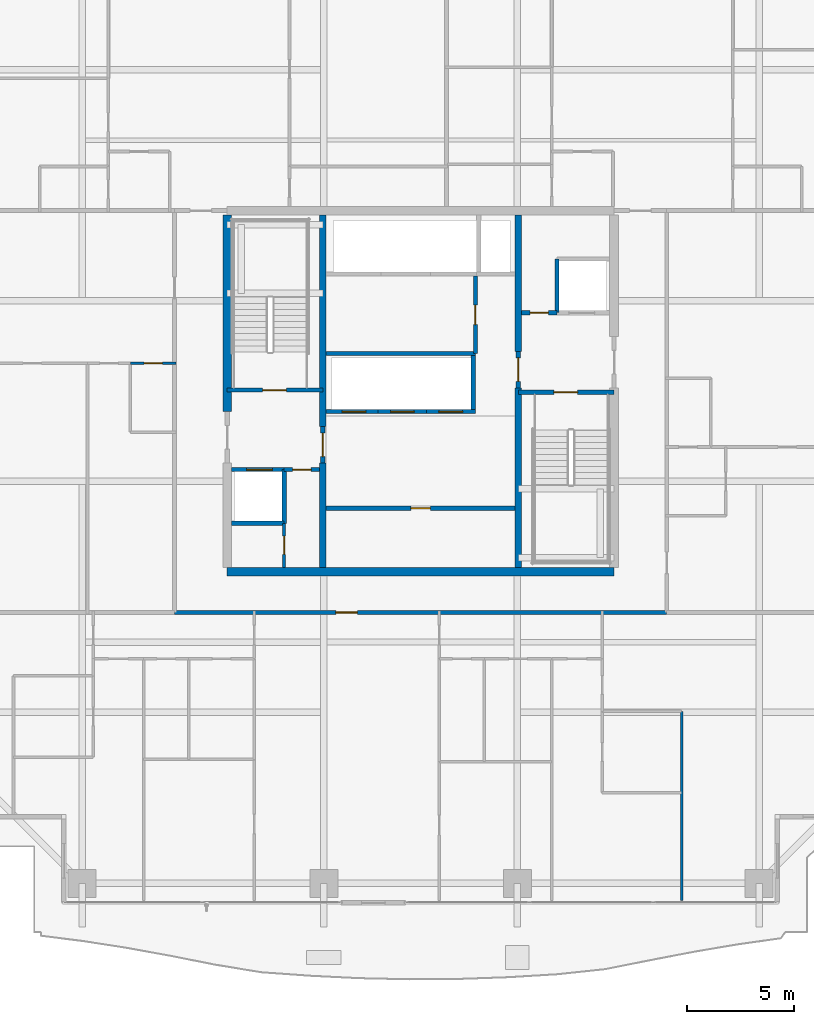
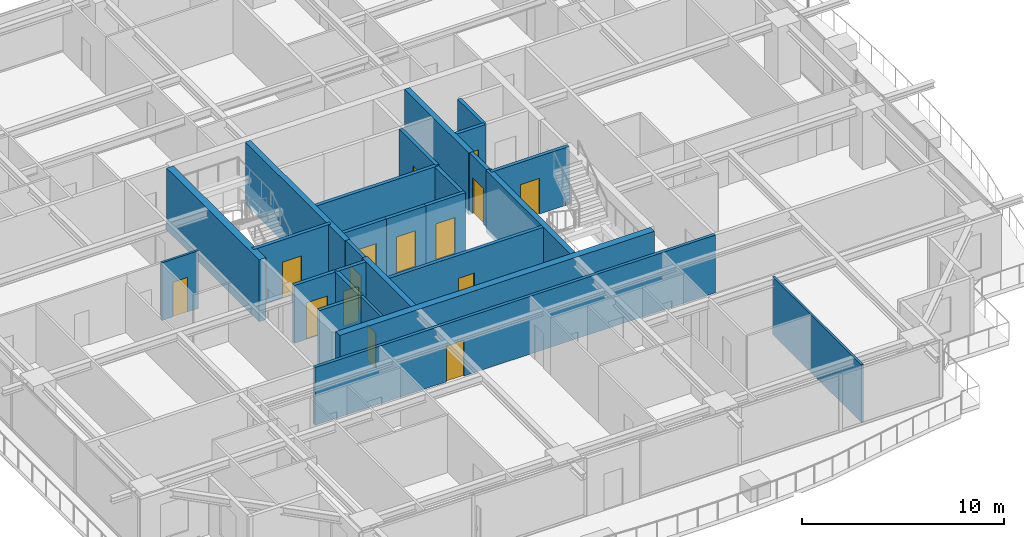
# One storey, part 27 of 36: 27 walls, 15 doors, 15 openings.
"""IFC4 building model written with IfcOpenShell, lengths in metres."""

from ifc_helpers import new_model, si_unit, direction, frame, frame_2d, origin, place, context, subcontext, project, spatial, rectangle, extrude, source, transform, mapped, material, layer, layer_set, type_object, element, fill, save


model = new_model("IFC4")

# Units and contexts
model_context = context("Model", 3, precision=1e-05, world=origin(), true_north=direction((0.0, 1.0)))
body_context = subcontext(model_context, "Body", "Model", "MODEL_VIEW")
ifc_project = project(units=[si_unit("LENGTHUNIT", "METRE"), si_unit("AREAUNIT", "SQUARE_METRE"), si_unit("VOLUMEUNIT", "CUBIC_METRE"), si_unit("PLANEANGLEUNIT", "RADIAN"), si_unit("MASSUNIT", "GRAM", prefix="KILO")], contexts=[model_context])

# Site, building, storey
site_placement = place(None, origin())
site = spatial("IfcSite", under=ifc_project, at=site_placement, CompositionType="ELEMENT")
building_placement = place(site_placement, origin())
building = spatial("IfcBuilding", under=site, at=building_placement, Name="Serunith Strait Residences", CompositionType="ELEMENT")
storey_placement = place(building_placement, frame((0.0, 0.0, 146.39990234375)))
storey = spatial("IfcBuildingStorey", under=building, at=storey_placement, Name="L36", CompositionType="ELEMENT", Elevation=146.39990234375)

# Wall, opening, door
ifc_material_1 = material(Name="Fire-rated masonry service closet wall", Category="masonry")
ifc_layer_1 = layer(ifc_material_1, 0.14990234375, Name="Fire-rated masonry service closet wall")
ifc_layer_set_1 = layer_set([ifc_layer_1], Name="Fire-rated masonry service closet wall")
wall_type_1 = type_object("IfcWallType", Name="IW-BOH-150", PredefinedType="PARTITIONING", material=ifc_layer_set_1)
wall_1_placement = place(storey_placement, frame((26.050048828125, 17.0, 0.0), z_axis=(0.0, 0.0, 1.0), x_axis=(0.0, 1.0, 0.0)))
wall_1 = element("IfcWall", 1, at=wall_1_placement, inside=storey, type_object=wall_type_1, Name="L36 Partition Wall 012", PredefinedType="PARTITIONING", context=body_context, shape_type="SweptSolid", body=[
    extrude(rectangle(XDim=2.048095703125, YDim=0.14990234375, at=frame_2d((1.02392578125, 0.0))), origin(), (0.0, 0.0, 1.0), 3.489990234375),
])
opening_1_placement = place(wall_1_placement, frame((0.59912109375, 0.0, 0.0)))
opening_1 = element("IfcOpeningElement", 2, at=opening_1_placement, cuts=wall_1, Name="Opening FD-850", PredefinedType="OPENING", context=body_context, shape_type="SweptSolid", body=[
    extrude(rectangle(XDim=0.85009765625, YDim=2.10009765625, at=frame_2d((0.425048828125, 1.050048828125))), frame((0.0, 0.0849609375, 0.0), z_axis=(0.0, -1.0, 0.0), x_axis=(1.0, 0.0, 0.0)), (0.0, 0.0, 1.0), 0.169921875),
])
ifc_material_2 = material(Name="Powder-coated steel service closet door", Category="steel")
door_type_1 = type_object("IfcDoorType", Name="FD-BOH-850", OperationType="NOTDEFINED", PredefinedType="DOOR", material=ifc_material_2)
shared_shape_1 = source(origin(), body_context, "Body", "SweptSolid", [
    extrude(rectangle(XDim=0.85009765625, YDim=2.10009765625, at=frame_2d((0.425048828125, 1.050048828125))), frame((0.0, 0.02490234375, 0.0), z_axis=(0.0, -1.0, 0.0), x_axis=(1.0, 0.0, 0.0)), (0.0, 0.0, 1.0), 0.050048828125),
])
door_1_placement = place(opening_1_placement, origin())
door_1 = element("IfcDoor", 3, at=door_1_placement, inside=storey, type_object=door_type_1, Name="L36 Cleaner Store Door", OperationType="SINGLE_SWING_RIGHT", OverallHeight=2.10009765625, OverallWidth=0.85009765625, PredefinedType="DOOR", context=body_context, shape_type="MappedRepresentation", body=[
    mapped(shared_shape_1, transform((0.0, 0.0, 0.0), scale=1.0)),
])
fill(opening_1, door_1)

ifc_material_3 = material(Name="Fire-rated acoustic gypsum partition")
ifc_layer_2 = layer(ifc_material_3, 0.179931640625, Name="Fire-rated acoustic gypsum partition")
ifc_layer_set_2 = layer_set([ifc_layer_2], Name="Fire-rated acoustic gypsum partition")
wall_type_2 = type_object("IfcWallType", Name="IW-CORR-180", PredefinedType="PARTITIONING", material=ifc_layer_set_2)
wall_2_placement = place(storey_placement, frame((20.951904296875, 14.89990234375, 0.0), z_axis=(0.0, 0.0, 1.0), x_axis=(1.0, 0.0, 0.0)))
wall_2 = element("IfcWall", 4, at=wall_2_placement, inside=storey, type_object=wall_type_2, Name="L36 Partition Wall 020", PredefinedType="PARTITIONING", context=body_context, shape_type="SweptSolid", body=[
    extrude(rectangle(XDim=22.89599609375, YDim=0.179931640625, at=frame_2d((11.447998046875, 0.0))), origin(), (0.0, 0.0, 1.0), 3.489990234375),
])
opening_2_placement = place(wall_2_placement, frame((7.510009765625, 0.0, 0.0)))
opening_2 = element("IfcOpeningElement", 5, at=opening_2_placement, cuts=wall_2, Name="Opening D-APT1000", PredefinedType="OPENING", context=body_context, shape_type="SweptSolid", body=[
    extrude(rectangle(XDim=1.0, YDim=2.14990234375, at=frame_2d((0.5, 1.074951171875))), frame((0.0, 0.10009765625, 0.0), z_axis=(0.0, -1.0, 0.0), x_axis=(1.0, 0.0, 0.0)), (0.0, 0.0, 1.0), 0.199951171875),
])
ifc_material_4 = material(Name="Solid timber engineered fire door", Category="wood")
door_type_2 = type_object("IfcDoorType", Name="ID-APT-1000", OperationType="NOTDEFINED", PredefinedType="DOOR", material=ifc_material_4)
shared_shape_2 = source(origin(), body_context, "Body", "SweptSolid", [
    extrude(rectangle(XDim=1.0, YDim=2.14990234375, at=frame_2d((0.5, 1.074951171875))), frame((0.0, 0.02490234375, 0.0), z_axis=(0.0, -1.0, 0.0), x_axis=(1.0, 0.0, 0.0)), (0.0, 0.0, 1.0), 0.050048828125),
])
door_2_placement = place(opening_2_placement, origin())
door_2 = element("IfcDoor", 6, at=door_2_placement, inside=storey, type_object=door_type_2, Name="L36 Unit 01 Entrance Door", OperationType="SINGLE_SWING_LEFT", OverallHeight=2.14990234375, OverallWidth=1.0, PredefinedType="DOOR", context=body_context, shape_type="MappedRepresentation", body=[
    mapped(shared_shape_2, transform((0.0, 0.0, 0.0), scale=1.0)),
])
fill(opening_2, door_2)

# Wall
ifc_material_5 = material(Name="Lightweight steel-stud gypsum partition", Category="steel")
ifc_layer_3 = layer(ifc_material_5, 0.1201171875, Name="Lightweight steel-stud gypsum partition")
ifc_layer_set_3 = layer_set([ifc_layer_3], Name="Lightweight steel-stud gypsum partition")
wall_type_3 = type_object("IfcWallType", Name="IW-PART-120", PredefinedType="PARTITIONING", material=ifc_layer_set_3)
wall_3_placement = place(storey_placement, frame((44.550048828125, 1.4951171875, 0.0), z_axis=(0.0, 0.0, 1.0), x_axis=(0.0, 1.0, 0.0)))
element("IfcWall", 7, at=wall_3_placement, inside=storey, type_object=wall_type_3, Name="L36 Partition Wall 050", PredefinedType="PARTITIONING", context=body_context, shape_type="SweptSolid", body=[
    extrude(rectangle(XDim=8.807861328125, YDim=0.1201171875, at=frame_2d((4.40380859375, 0.0))), origin(), (0.0, 0.0, 1.0), 3.489990234375),
])

# Wall, opening, door
wall_4_placement = place(storey_placement, frame((18.902099609375, 26.489990234375, 0.0), z_axis=(0.0, 0.0, 1.0), x_axis=(1.0, 0.0, 0.0)))
wall_4 = element("IfcWall", 8, at=wall_4_placement, inside=storey, type_object=wall_type_3, Name="L36 Partition Wall 088", PredefinedType="PARTITIONING", context=body_context, shape_type="SweptSolid", body=[
    extrude(rectangle(XDim=2.10791015625, YDim=0.1201171875, at=frame_2d((1.053955078125, 0.0))), origin(), (0.0, 0.0, 1.0), 3.489990234375),
])
opening_3_placement = place(wall_4_placement, frame((0.62890625, 0.0, 0.0)))
opening_3 = element("IfcOpeningElement", 9, at=opening_3_placement, cuts=wall_4, Name="Opening D-BTH850", PredefinedType="OPENING", context=body_context, shape_type="SweptSolid", body=[
    extrude(rectangle(XDim=0.85009765625, YDim=2.10009765625, at=frame_2d((0.425048828125, 1.050048828125))), frame((0.0, 0.070068359375, 0.0), z_axis=(0.0, -1.0, 0.0), x_axis=(1.0, 0.0, 0.0)), (0.0, 0.0, 1.0), 0.14013671875),
])
ifc_material_6 = material(Name="Moisture-resistant timber bathroom door", Category="wood")
door_type_3 = type_object("IfcDoorType", Name="ID-BATH-850", OperationType="NOTDEFINED", PredefinedType="DOOR", material=ifc_material_6)
door_3_placement = place(opening_3_placement, origin())
door_3 = element("IfcDoor", 10, at=door_3_placement, inside=storey, type_object=door_type_3, Name="L36 Bathroom 3604 Door", OperationType="SINGLE_SWING_LEFT", OverallHeight=2.10009765625, OverallWidth=0.85009765625, PredefinedType="DOOR", context=body_context, shape_type="MappedRepresentation", body=[
    mapped(shared_shape_1, transform((0.0, 0.0, 0.0), scale=1.0)),
])
fill(opening_3, door_3)

ifc_material_7 = material(Name="Autoclaved aerated concrete blockwork", Category="masonry")
ifc_layer_4 = layer(ifc_material_7, 0.199951171875, Name="Autoclaved aerated concrete blockwork")
ifc_layer_set_4 = layer_set([ifc_layer_4], Name="Autoclaved aerated concrete blockwork")
wall_type_4 = type_object("IfcWallType", Name="IW-SHAFT-200", PredefinedType="STANDARD", material=ifc_layer_set_4)
wall_5_placement = place(storey_placement, frame((23.39990234375, 25.25, 0.0), z_axis=(0.0, 0.0, 1.0), x_axis=(1.0, 0.0, 0.0)))
wall_5 = element("IfcWall", 11, at=wall_5_placement, inside=storey, type_object=wall_type_4, Name="L36 ST-1 South Shaft Wall", PredefinedType="STANDARD", context=body_context, shape_type="SweptSolid", body=[
    extrude(rectangle(XDim=4.4501953125, YDim=0.199951171875, at=frame_2d((2.22509765625, 0.0))), origin(), (0.0, 0.0, 1.0), 3.489990234375),
])
opening_4_placement = place(wall_5_placement, frame((1.64990234375, 0.0, 0.0)))
opening_4 = element("IfcOpeningElement", 12, at=opening_4_placement, cuts=wall_5, Name="Opening FD-1100", PredefinedType="OPENING", context=body_context, shape_type="SweptSolid", body=[
    extrude(rectangle(XDim=1.10009765625, YDim=2.14990234375, at=frame_2d((0.550048828125, 1.074951171875))), frame((0.0, 0.10986328125, 0.0), z_axis=(0.0, -1.0, 0.0), x_axis=(1.0, 0.0, 0.0)), (0.0, 0.0, 1.0), 0.219970703125),
])
ifc_material_8 = material(Name="Galvanised steel fire door leaf", Category="steel")
door_type_4 = type_object("IfcDoorType", Name="FD-STAIR-1100", OperationType="NOTDEFINED", PredefinedType="DOOR", material=ifc_material_8)
shared_shape_3 = source(origin(), body_context, "Body", "SweptSolid", [
    extrude(rectangle(XDim=1.10009765625, YDim=2.14990234375, at=frame_2d((0.550048828125, 1.074951171875))), frame((0.0, 0.02490234375, 0.0), z_axis=(0.0, -1.0, 0.0), x_axis=(1.0, 0.0, 0.0)), (0.0, 0.0, 1.0), 0.050048828125),
])
door_4_placement = place(opening_4_placement, origin())
door_4 = element("IfcDoor", 13, at=door_4_placement, inside=storey, type_object=door_type_4, Name="L36 ST-1 Escape Stair Door", OperationType="SINGLE_SWING_RIGHT", OverallHeight=2.14990234375, OverallWidth=1.10009765625, PredefinedType="DOOR", context=body_context, shape_type="MappedRepresentation", body=[
    mapped(shared_shape_3, transform((0.0, 0.0, 0.0), scale=1.0)),
])
fill(opening_4, door_4)

wall_6_placement = place(storey_placement, frame((36.949951171875, 25.14990234375, 0.0), z_axis=(0.0, 0.0, 1.0), x_axis=(1.0, 0.0, 0.0)))
wall_6 = element("IfcWall", 14, at=wall_6_placement, inside=storey, type_object=wall_type_4, Name="L36 ST-2 North Shaft Wall", PredefinedType="STANDARD", context=body_context, shape_type="SweptSolid", body=[
    extrude(rectangle(XDim=4.449951171875, YDim=0.199951171875, at=frame_2d((2.22509765625, 0.0))), origin(), (0.0, 0.0, 1.0), 3.489990234375),
])
opening_5_placement = place(wall_6_placement, frame((1.64990234375, 0.0, 0.0)))
opening_5 = element("IfcOpeningElement", 15, at=opening_5_placement, cuts=wall_6, Name="Opening FD-1100", PredefinedType="OPENING", context=body_context, shape_type="SweptSolid", body=[
    extrude(rectangle(XDim=1.10009765625, YDim=2.14990234375, at=frame_2d((0.550048828125, 1.074951171875))), frame((0.0, 0.10986328125, 0.0), z_axis=(0.0, -1.0, 0.0), x_axis=(1.0, 0.0, 0.0)), (0.0, 0.0, 1.0), 0.219970703125),
])
door_5_placement = place(opening_5_placement, origin())
door_5 = element("IfcDoor", 16, at=door_5_placement, inside=storey, type_object=door_type_4, Name="L36 ST-2 Escape Stair Door", OperationType="SINGLE_SWING_LEFT", OverallHeight=2.14990234375, OverallWidth=1.10009765625, PredefinedType="DOOR", context=body_context, shape_type="MappedRepresentation", body=[
    mapped(shared_shape_3, transform((0.0, 0.0, 0.0), scale=1.0)),
])
fill(opening_5, door_5)

wall_7_placement = place(storey_placement, frame((23.60009765625, 21.550048828125, 0.0), z_axis=(0.0, 0.0, 1.0), x_axis=(1.0, 0.0, 0.0)))
wall_7 = element("IfcWall", 17, at=wall_7_placement, inside=storey, type_object=wall_type_4, Name="L36 FL-1 North Shaft Wall", PredefinedType="STANDARD", context=body_context, shape_type="SweptSolid", body=[
    extrude(rectangle(XDim=2.449951171875, YDim=0.199951171875, at=frame_2d((1.22509765625, 0.0))), origin(), (0.0, 0.0, 1.0), 3.489990234375),
])
opening_6_placement = place(wall_7_placement, frame((0.699951171875, 0.0, 0.0)))
opening_6 = element("IfcOpeningElement", 18, at=opening_6_placement, cuts=wall_7, Name="Opening LD-FF1200", PredefinedType="OPENING", context=body_context, shape_type="SweptSolid", body=[
    extrude(rectangle(XDim=1.199951171875, YDim=2.199951171875, at=frame_2d((0.60009765625, 1.10009765625))), frame((0.0, 0.10986328125, 0.0), z_axis=(0.0, -1.0, 0.0), x_axis=(1.0, 0.0, 0.0)), (0.0, 0.0, 1.0), 0.219970703125),
])
ifc_material_9 = material(Name="Brushed stainless steel landing door", Category="steel")
door_type_5 = type_object("IfcDoorType", Name="LD-FF-1200", OperationType="DOUBLE_DOOR_SLIDING", PredefinedType="DOOR", material=ifc_material_9)
shared_shape_4 = source(origin(), body_context, "Body", "SweptSolid", [
    extrude(rectangle(XDim=1.199951171875, YDim=2.199951171875, at=frame_2d((0.60009765625, 1.10009765625))), frame((0.0, 0.02490234375, 0.0), z_axis=(0.0, -1.0, 0.0), x_axis=(1.0, 0.0, 0.0)), (0.0, 0.0, 1.0), 0.050048828125),
])
door_6_placement = place(opening_6_placement, origin())
door_6 = element("IfcDoor", 19, at=door_6_placement, inside=storey, type_object=door_type_5, Name="L36 FL-1 Landing Door", OperationType="DOUBLE_DOOR_SLIDING", OverallHeight=2.199951171875, OverallWidth=1.199951171875, PredefinedType="DOOR", context=body_context, shape_type="MappedRepresentation", body=[
    mapped(shared_shape_4, transform((0.0, 0.0, 0.0), scale=1.0)),
])
fill(opening_6, door_6)

wall_8_placement = place(storey_placement, frame((28.0, 24.25, 0.0), z_axis=(0.0, 0.0, 1.0), x_axis=(1.0, 0.0, 0.0)))
wall_8 = element("IfcWall", 20, at=wall_8_placement, inside=storey, type_object=wall_type_4, Name="L36 PL-4 South Shaft Wall", PredefinedType="STANDARD", context=body_context, shape_type="SweptSolid", body=[
    extrude(rectangle(XDim=2.425048828125, YDim=0.199951171875, at=frame_2d((1.21240234375, 0.0))), origin(), (0.0, 0.0, 1.0), 3.489990234375),
])
opening_7_placement = place(wall_8_placement, frame((0.75, 0.0, 0.0)))
opening_7 = element("IfcOpeningElement", 21, at=opening_7_placement, cuts=wall_8, Name="Opening LD-1100", PredefinedType="OPENING", context=body_context, shape_type="SweptSolid", body=[
    extrude(rectangle(XDim=1.10009765625, YDim=2.199951171875, at=frame_2d((0.550048828125, 1.10009765625))), frame((0.0, 0.10986328125, 0.0), z_axis=(0.0, -1.0, 0.0), x_axis=(1.0, 0.0, 0.0)), (0.0, 0.0, 1.0), 0.219970703125),
])
ifc_material_10 = material(Name="Pale-champagne stainless landing door")
door_type_6 = type_object("IfcDoorType", Name="LD-LIFT-1100", OperationType="DOUBLE_DOOR_SLIDING", PredefinedType="DOOR", material=ifc_material_10)
shared_shape_5 = source(origin(), body_context, "Body", "SweptSolid", [
    extrude(rectangle(XDim=1.10009765625, YDim=2.199951171875, at=frame_2d((0.550048828125, 1.10009765625))), frame((0.0, 0.02490234375, 0.0), z_axis=(0.0, -1.0, 0.0), x_axis=(1.0, 0.0, 0.0)), (0.0, 0.0, 1.0), 0.050048828125),
])
door_7_placement = place(opening_7_placement, origin())
door_7 = element("IfcDoor", 22, at=door_7_placement, inside=storey, type_object=door_type_6, Name="L36 PL-4 Landing Door", OperationType="DOUBLE_DOOR_SLIDING", OverallHeight=2.199951171875, OverallWidth=1.10009765625, PredefinedType="DOOR", context=body_context, shape_type="MappedRepresentation", body=[
    mapped(shared_shape_5, transform((0.0, 0.0, 0.0), scale=1.0)),
])
fill(opening_7, door_7)

wall_9_placement = place(storey_placement, frame((30.425048828125, 24.25, 0.0), z_axis=(0.0, 0.0, 1.0), x_axis=(1.0, 0.0, 0.0)))
wall_9 = element("IfcWall", 23, at=wall_9_placement, inside=storey, type_object=wall_type_4, Name="L36 PL-5 South Shaft Wall", PredefinedType="STANDARD", context=body_context, shape_type="SweptSolid", body=[
    extrude(rectangle(XDim=2.25, YDim=0.199951171875, at=frame_2d((1.125, 0.0))), origin(), (0.0, 0.0, 1.0), 3.489990234375),
])
opening_8_placement = place(wall_9_placement, frame((0.574951171875, 0.0, 0.0)))
opening_8 = element("IfcOpeningElement", 24, at=opening_8_placement, cuts=wall_9, Name="Opening LD-1100", PredefinedType="OPENING", context=body_context, shape_type="SweptSolid", body=[
    extrude(rectangle(XDim=1.10009765625, YDim=2.199951171875, at=frame_2d((0.550048828125, 1.10009765625))), frame((0.0, 0.10986328125, 0.0), z_axis=(0.0, -1.0, 0.0), x_axis=(1.0, 0.0, 0.0)), (0.0, 0.0, 1.0), 0.219970703125),
])
door_8_placement = place(opening_8_placement, origin())
door_8 = element("IfcDoor", 25, at=door_8_placement, inside=storey, type_object=door_type_6, Name="L36 PL-5 Landing Door", OperationType="DOUBLE_DOOR_SLIDING", OverallHeight=2.199951171875, OverallWidth=1.10009765625, PredefinedType="DOOR", context=body_context, shape_type="MappedRepresentation", body=[
    mapped(shared_shape_5, transform((0.0, 0.0, 0.0), scale=1.0)),
])
fill(opening_8, door_8)

wall_10_placement = place(storey_placement, frame((32.675048828125, 24.25, 0.0), z_axis=(0.0, 0.0, 1.0), x_axis=(1.0, 0.0, 0.0)))
wall_10 = element("IfcWall", 26, at=wall_10_placement, inside=storey, type_object=wall_type_4, Name="L36 PL-6 South Shaft Wall", PredefinedType="STANDARD", context=body_context, shape_type="SweptSolid", body=[
    extrude(rectangle(XDim=2.27490234375, YDim=0.199951171875, at=frame_2d((1.137451171875, 0.0))), origin(), (0.0, 0.0, 1.0), 3.489990234375),
])
opening_9_placement = place(wall_10_placement, frame((0.574951171875, 0.0, 0.0)))
opening_9 = element("IfcOpeningElement", 27, at=opening_9_placement, cuts=wall_10, Name="Opening LD-1100", PredefinedType="OPENING", context=body_context, shape_type="SweptSolid", body=[
    extrude(rectangle(XDim=1.10009765625, YDim=2.199951171875, at=frame_2d((0.550048828125, 1.10009765625))), frame((0.0, 0.10986328125, 0.0), z_axis=(0.0, -1.0, 0.0), x_axis=(1.0, 0.0, 0.0)), (0.0, 0.0, 1.0), 0.219970703125),
])
door_9_placement = place(opening_9_placement, origin())
door_9 = element("IfcDoor", 28, at=door_9_placement, inside=storey, type_object=door_type_6, Name="L36 PL-6 Landing Door", OperationType="DOUBLE_DOOR_SLIDING", OverallHeight=2.199951171875, OverallWidth=1.10009765625, PredefinedType="DOOR", context=body_context, shape_type="MappedRepresentation", body=[
    mapped(shared_shape_5, transform((0.0, 0.0, 0.0), scale=1.0)),
])
fill(opening_9, door_9)

# Walls
for number, where, z_axis, x_axis, name in (
    (29, (34.85009765625, 24.35009765625, 0.0), (0.0, 0.0, 1.0), (0.0, 1.0, 0.0), "L36 PL-6 East Shaft Wall"),
    (30, (26.050048828125, 19.050048828125, 0.0), (0.0, 0.0, 1.0), (0.0, 1.0, 0.0), "L36 Partition Wall 001"),
):
    element("IfcWall", number, at=place(storey_placement, frame(where, z_axis=z_axis, x_axis=x_axis)), inside=storey, type_object=wall_type_4, Name=name, PredefinedType="STANDARD", context=body_context, shape_type="SweptSolid", body=[
        extrude(rectangle(XDim=2.5, YDim=0.199951171875, at=frame_2d((1.25, 0.0))), origin(), (0.0, 0.0, 1.0), 3.489990234375),
    ])
wall_11_placement = place(storey_placement, frame((23.60009765625, 19.050048828125, 0.0), z_axis=(0.0, 0.0, 1.0), x_axis=(1.0, 0.0, 0.0)))
element("IfcWall", 31, at=wall_11_placement, inside=storey, type_object=wall_type_4, Name="L36 Partition Wall 002", PredefinedType="STANDARD", context=body_context, shape_type="SweptSolid", body=[
    extrude(rectangle(XDim=2.449951171875, YDim=0.199951171875, at=frame_2d((1.22509765625, 0.0))), origin(), (0.0, 0.0, 1.0), 3.489990234375),
])

# Wall, opening, door
wall_12_placement = place(storey_placement, frame((26.052001953125, 21.550048828125, 0.0), z_axis=(0.0, 0.0, 1.0), x_axis=(1.0, 0.0, 0.0)))
wall_12 = element("IfcWall", 32, at=wall_12_placement, inside=storey, type_object=wall_type_4, Name="L36 Partition Wall 003", PredefinedType="STANDARD", context=body_context, shape_type="SweptSolid", body=[
    extrude(rectangle(XDim=1.64794921875, YDim=0.199951171875, at=frame_2d((0.823974609375, 0.0))), origin(), (0.0, 0.0, 1.0), 3.489990234375),
])
opening_10_placement = place(wall_12_placement, frame((0.39892578125, 0.0, 0.0)))
opening_10 = element("IfcOpeningElement", 33, at=opening_10_placement, cuts=wall_12, Name="Opening FD-850", PredefinedType="OPENING", context=body_context, shape_type="SweptSolid", body=[
    extrude(rectangle(XDim=0.85009765625, YDim=2.10009765625, at=frame_2d((0.425048828125, 1.050048828125))), frame((0.0, 0.10986328125, 0.0), z_axis=(0.0, -1.0, 0.0), x_axis=(1.0, 0.0, 0.0)), (0.0, 0.0, 1.0), 0.219970703125),
])
door_10_placement = place(opening_10_placement, origin())
door_10 = element("IfcDoor", 34, at=door_10_placement, inside=storey, type_object=door_type_1, Name="L36 South-West Core Service Door", OperationType="SINGLE_SWING_RIGHT", OverallHeight=2.10009765625, OverallWidth=0.85009765625, PredefinedType="DOOR", context=body_context, shape_type="MappedRepresentation", body=[
    mapped(shared_shape_1, transform((0.0, 0.0, 0.0), scale=1.0)),
])
fill(opening_10, door_10)

# Wall
wall_13_placement = place(storey_placement, frame((38.75, 28.85009765625, 0.0), z_axis=(0.0, 0.0, 1.0), x_axis=(0.0, 1.0, 0.0)))
element("IfcWall", 35, at=wall_13_placement, inside=storey, type_object=wall_type_4, Name="L36 Partition Wall 004", PredefinedType="STANDARD", context=body_context, shape_type="SweptSolid", body=[
    extrude(rectangle(XDim=2.5, YDim=0.199951171875, at=frame_2d((1.25, 0.0))), origin(), (0.0, 0.0, 1.0), 3.489990234375),
])

# Wall, opening, door
wall_14_placement = place(storey_placement, frame((37.10009765625, 28.85009765625, 0.0), z_axis=(0.0, 0.0, 1.0), x_axis=(1.0, 0.0, 0.0)))
wall_14 = element("IfcWall", 36, at=wall_14_placement, inside=storey, type_object=wall_type_4, Name="L36 Partition Wall 006", PredefinedType="STANDARD", context=body_context, shape_type="SweptSolid", body=[
    extrude(rectangle(XDim=1.64794921875, YDim=0.199951171875, at=frame_2d((0.823974609375, 0.0))), origin(), (0.0, 0.0, 1.0), 3.489990234375),
])
opening_11_placement = place(wall_14_placement, frame((0.39892578125, 0.0, 0.0)))
opening_11 = element("IfcOpeningElement", 37, at=opening_11_placement, cuts=wall_14, Name="Opening FD-850", PredefinedType="OPENING", context=body_context, shape_type="SweptSolid", body=[
    extrude(rectangle(XDim=0.85009765625, YDim=2.10009765625, at=frame_2d((0.425048828125, 1.050048828125))), frame((0.0, 0.10986328125, 0.0), z_axis=(0.0, -1.0, 0.0), x_axis=(1.0, 0.0, 0.0)), (0.0, 0.0, 1.0), 0.219970703125),
])
door_11_placement = place(opening_11_placement, origin())
door_11 = element("IfcDoor", 38, at=door_11_placement, inside=storey, type_object=door_type_1, Name="L36 North-East Core Service Door", OperationType="SINGLE_SWING_LEFT", OverallHeight=2.10009765625, OverallWidth=0.85009765625, PredefinedType="DOOR", context=body_context, shape_type="MappedRepresentation", body=[
    mapped(shared_shape_1, transform((0.0, 0.0, 0.0), scale=1.0)),
])
fill(opening_11, door_11)

wall_15_placement = place(storey_placement, frame((27.85009765625, 21.85205078125, 0.0), z_axis=(0.0, 0.0, 1.0), x_axis=(0.0, 1.0, 0.0)))
wall_15 = element("IfcWall", 39, at=wall_15_placement, inside=storey, type_object=wall_type_4, Name="L36 Partition Wall 009", PredefinedType="STANDARD", context=body_context, shape_type="SweptSolid", body=[
    extrude(rectangle(XDim=1.696044921875, YDim=0.199951171875, at=frame_2d((0.84814453125, 0.0))), origin(), (0.0, 0.0, 1.0), 3.489990234375),
])
opening_12_placement = place(wall_15_placement, frame((0.298095703125, 0.0, 0.0)))
opening_12 = element("IfcOpeningElement", 40, at=opening_12_placement, cuts=wall_15, Name="Opening FD-FFL", PredefinedType="OPENING", context=body_context, shape_type="SweptSolid", body=[
    extrude(rectangle(XDim=1.10009765625, YDim=2.14990234375, at=frame_2d((0.550048828125, 1.074951171875))), frame((0.0, 0.10986328125, 0.0), z_axis=(0.0, -1.0, 0.0), x_axis=(1.0, 0.0, 0.0)), (0.0, 0.0, 1.0), 0.219970703125),
])
ifc_material_11 = material(Name="Glazed steel smoke-lobby fire door", Category="steel")
door_type_7 = type_object("IfcDoorType", Name="FD-FFL-1100", OperationType="NOTDEFINED", PredefinedType="DOOR", material=ifc_material_11)
door_12_placement = place(opening_12_placement, origin())
door_12 = element("IfcDoor", 41, at=door_12_placement, inside=storey, type_object=door_type_7, Name="L36 FFL-1 Lift Lobby Door", OperationType="SINGLE_SWING_RIGHT", OverallHeight=2.14990234375, OverallWidth=1.10009765625, PredefinedType="DOOR", context=body_context, shape_type="MappedRepresentation", body=[
    mapped(shared_shape_3, transform((0.0, 0.0, 0.0), scale=1.0)),
])
fill(opening_12, door_12)

wall_16_placement = place(storey_placement, frame((36.949951171875, 25.35205078125, 0.0), z_axis=(0.0, 0.0, 1.0), x_axis=(0.0, 1.0, 0.0)))
wall_16 = element("IfcWall", 42, at=wall_16_placement, inside=storey, type_object=wall_type_4, Name="L36 Partition Wall 010", PredefinedType="STANDARD", context=body_context, shape_type="SweptSolid", body=[
    extrude(rectangle(XDim=1.696044921875, YDim=0.199951171875, at=frame_2d((0.84814453125, 0.0))), origin(), (0.0, 0.0, 1.0), 3.489990234375),
])
opening_13_placement = place(wall_16_placement, frame((0.298095703125, 0.0, 0.0)))
opening_13 = element("IfcOpeningElement", 43, at=opening_13_placement, cuts=wall_16, Name="Opening FD-FFL", PredefinedType="OPENING", context=body_context, shape_type="SweptSolid", body=[
    extrude(rectangle(XDim=1.10009765625, YDim=2.14990234375, at=frame_2d((0.550048828125, 1.074951171875))), frame((0.0, 0.10986328125, 0.0), z_axis=(0.0, -1.0, 0.0), x_axis=(1.0, 0.0, 0.0)), (0.0, 0.0, 1.0), 0.219970703125),
])
door_13_placement = place(opening_13_placement, origin())
door_13 = element("IfcDoor", 44, at=door_13_placement, inside=storey, type_object=door_type_7, Name="L36 FFL-2 Lift Lobby Door", OperationType="SINGLE_SWING_LEFT", OverallHeight=2.14990234375, OverallWidth=1.10009765625, PredefinedType="DOOR", context=body_context, shape_type="MappedRepresentation", body=[
    mapped(shared_shape_3, transform((0.0, 0.0, 0.0), scale=1.0)),
])
fill(opening_13, door_13)

# Wall
wall_17_placement = place(storey_placement, frame((28.0, 26.949951171875, 0.0), z_axis=(0.0, 0.0, 1.0), x_axis=(1.0, 0.0, 0.0)))
element("IfcWall", 45, at=wall_17_placement, inside=storey, type_object=wall_type_4, Name="L36 Partition Wall 011", PredefinedType="STANDARD", context=body_context, shape_type="SweptSolid", body=[
    extrude(rectangle(XDim=6.949951171875, YDim=0.199951171875, at=frame_2d((3.47509765625, 0.0))), origin(), (0.0, 0.0, 1.0), 3.489990234375),
])

# Wall, opening, door
wall_18_placement = place(storey_placement, frame((34.949951171875, 26.949951171875, 0.0), z_axis=(0.0, 0.0, 1.0), x_axis=(0.0, 1.0, 0.0)))
wall_18 = element("IfcWall", 46, at=wall_18_placement, inside=storey, type_object=wall_type_4, Name="L36 Partition Wall 013", PredefinedType="STANDARD", context=body_context, shape_type="SweptSolid", body=[
    extrude(rectangle(XDim=3.60009765625, YDim=0.199951171875, at=frame_2d((1.800048828125, 0.0))), origin(), (0.0, 0.0, 1.0), 3.489990234375),
])
opening_14_placement = place(wall_18_placement, frame((1.35009765625, 0.0, 0.0)))
opening_14 = element("IfcOpeningElement", 47, at=opening_14_placement, cuts=wall_18, Name="Opening FD-900", PredefinedType="OPENING", context=body_context, shape_type="SweptSolid", body=[
    extrude(rectangle(XDim=0.89990234375, YDim=2.10009765625, at=frame_2d((0.449951171875, 1.050048828125))), frame((0.0, 0.10986328125, 0.0), z_axis=(0.0, -1.0, 0.0), x_axis=(1.0, 0.0, 0.0)), (0.0, 0.0, 1.0), 0.219970703125),
])
ifc_material_12 = material(Name="Powder-coated steel riser door", Category="steel")
door_type_8 = type_object("IfcDoorType", Name="FD-BOH-900", OperationType="NOTDEFINED", PredefinedType="DOOR", material=ifc_material_12)
shared_shape_6 = source(origin(), body_context, "Body", "SweptSolid", [
    extrude(rectangle(XDim=0.89990234375, YDim=2.10009765625, at=frame_2d((0.449951171875, 1.050048828125))), frame((0.0, 0.02490234375, 0.0), z_axis=(0.0, -1.0, 0.0), x_axis=(1.0, 0.0, 0.0)), (0.0, 0.0, 1.0), 0.050048828125),
])
door_14_placement = place(opening_14_placement, origin())
door_14 = element("IfcDoor", 48, at=door_14_placement, inside=storey, type_object=door_type_8, Name="L36 Core Switchroom Door", OperationType="SINGLE_SWING_LEFT", OverallHeight=2.10009765625, OverallWidth=0.89990234375, PredefinedType="DOOR", context=body_context, shape_type="MappedRepresentation", body=[
    mapped(shared_shape_6, transform((0.0, 0.0, 0.0), scale=1.0)),
])
fill(opening_14, door_14)

wall_19_placement = place(storey_placement, frame((28.0, 19.75, 0.0), z_axis=(0.0, 0.0, 1.0), x_axis=(1.0, 0.0, 0.0)))
wall_19 = element("IfcWall", 49, at=wall_19_placement, inside=storey, type_object=wall_type_4, Name="L36 Partition Wall 014", PredefinedType="STANDARD", context=body_context, shape_type="SweptSolid", body=[
    extrude(rectangle(XDim=8.800048828125, YDim=0.199951171875, at=frame_2d((4.39990234375, 0.0))), origin(), (0.0, 0.0, 1.0), 3.489990234375),
])
opening_15_placement = place(wall_19_placement, frame((3.949951171875, 0.0, 0.0)))
opening_15 = element("IfcOpeningElement", 50, at=opening_15_placement, cuts=wall_19, Name="Opening FD-900", PredefinedType="OPENING", context=body_context, shape_type="SweptSolid", body=[
    extrude(rectangle(XDim=0.89990234375, YDim=2.10009765625, at=frame_2d((0.449951171875, 1.050048828125))), frame((0.0, 0.10986328125, 0.0), z_axis=(0.0, -1.0, 0.0), x_axis=(1.0, 0.0, 0.0)), (0.0, 0.0, 1.0), 0.219970703125),
])
door_15_placement = place(opening_15_placement, origin())
door_15 = element("IfcDoor", 51, at=door_15_placement, inside=storey, type_object=door_type_8, Name="L36 Reclaimed BMS Plant Door", OperationType="SINGLE_SWING_RIGHT", OverallHeight=2.10009765625, OverallWidth=0.89990234375, PredefinedType="DOOR", context=body_context, shape_type="MappedRepresentation", body=[
    mapped(shared_shape_6, transform((0.0, 0.0, 0.0), scale=1.0)),
])
fill(opening_15, door_15)

# Walls
ifc_material_13 = material(Name="Concrete C70/85", Category="concrete")
ifc_layer_5 = layer(ifc_material_13, 0.300048828125, Name="Concrete C70/85")
ifc_layer_set_5 = layer_set([ifc_layer_5], Name="Concrete C70/85")
wall_type_5 = type_object("IfcWallType", Name="SW-300-C70", PredefinedType="SHEAR", material=ifc_layer_set_5)
wall_20_placement = place(storey_placement, frame((27.85009765625, 17.0, -0.260009765625), z_axis=(0.0, 0.0, 1.0), x_axis=(0.0, 1.0, 0.0)))
element("IfcWall", 52, at=wall_20_placement, inside=storey, type_object=wall_type_5, Name="L36 Core Internal West Web South Pier", PredefinedType="SHEAR", context=body_context, shape_type="SweptSolid", body=[
    extrude(rectangle(XDim=4.85009765625, YDim=0.300048828125, at=frame_2d((2.425048828125, 0.0))), origin(), (0.0, 0.0, 1.0), 3.748046875),
])
wall_21_placement = place(storey_placement, frame((27.85009765625, 23.550048828125, -0.260009765625), z_axis=(0.0, 0.0, 1.0), x_axis=(0.0, 1.0, 0.0)))
element("IfcWall", 53, at=wall_21_placement, inside=storey, type_object=wall_type_5, Name="L36 Core Internal West Web North Pier", PredefinedType="SHEAR", context=body_context, shape_type="SweptSolid", body=[
    extrude(rectangle(XDim=9.849853515625, YDim=0.300048828125, at=frame_2d((4.9248046875, 0.0))), origin(), (0.0, 0.0, 1.0), 3.748046875),
])
wall_22_placement = place(storey_placement, frame((36.949951171875, 17.0, -0.260009765625), z_axis=(0.0, 0.0, 1.0), x_axis=(0.0, 1.0, 0.0)))
element("IfcWall", 54, at=wall_22_placement, inside=storey, type_object=wall_type_5, Name="L36 Core Internal East Web South Pier", PredefinedType="SHEAR", context=body_context, shape_type="SweptSolid", body=[
    extrude(rectangle(XDim=8.35009765625, YDim=0.300048828125, at=frame_2d((4.175048828125, 0.0))), origin(), (0.0, 0.0, 1.0), 3.748046875),
])
wall_23_placement = place(storey_placement, frame((36.949951171875, 27.050048828125, -0.260009765625), z_axis=(0.0, 0.0, 1.0), x_axis=(0.0, 1.0, 0.0)))
element("IfcWall", 55, at=wall_23_placement, inside=storey, type_object=wall_type_5, Name="L36 Core Internal East Web North Pier", PredefinedType="SHEAR", context=body_context, shape_type="SweptSolid", body=[
    extrude(rectangle(XDim=6.349853515625, YDim=0.300048828125, at=frame_2d((3.1748046875, 0.0))), origin(), (0.0, 0.0, 1.0), 3.748046875),
])
ifc_layer_6 = layer(ifc_material_13, 0.39990234375, Name="Concrete C70/85")
ifc_layer_set_6 = layer_set([ifc_layer_6], Name="Concrete C70/85")
wall_type_6 = type_object("IfcWallType", Name="SW-400-C70", PredefinedType="SHEAR", material=ifc_layer_set_6)
wall_24_placement = place(storey_placement, frame((23.39990234375, 16.800048828125, -0.260009765625), z_axis=(0.0, 0.0, 1.0), x_axis=(1.0, 0.0, 0.0)))
element("IfcWall", 56, at=wall_24_placement, inside=storey, type_object=wall_type_6, Name="L36 Core South Shear Wall", PredefinedType="SHEAR", context=body_context, shape_type="SweptSolid", body=[
    extrude(rectangle(XDim=18.0, YDim=0.39990234375, at=frame_2d((9.0, 0.0))), origin(), (0.0, 0.0, 1.0), 3.748046875),
])
wall_25_placement = place(storey_placement, frame((23.39990234375, 24.25, -0.260009765625), z_axis=(0.0, 0.0, 1.0), x_axis=(0.0, 1.0, 0.0)))
element("IfcWall", 57, at=wall_25_placement, inside=storey, type_object=wall_type_6, Name="L36 Core West Shear Wall North Pier", PredefinedType="SHEAR", context=body_context, shape_type="SweptSolid", body=[
    extrude(rectangle(XDim=9.14990234375, YDim=0.39990234375, at=frame_2d((4.574951171875, 0.0))), origin(), (0.0, 0.0, 1.0), 3.748046875),
])

save(model, "model.ifc")
